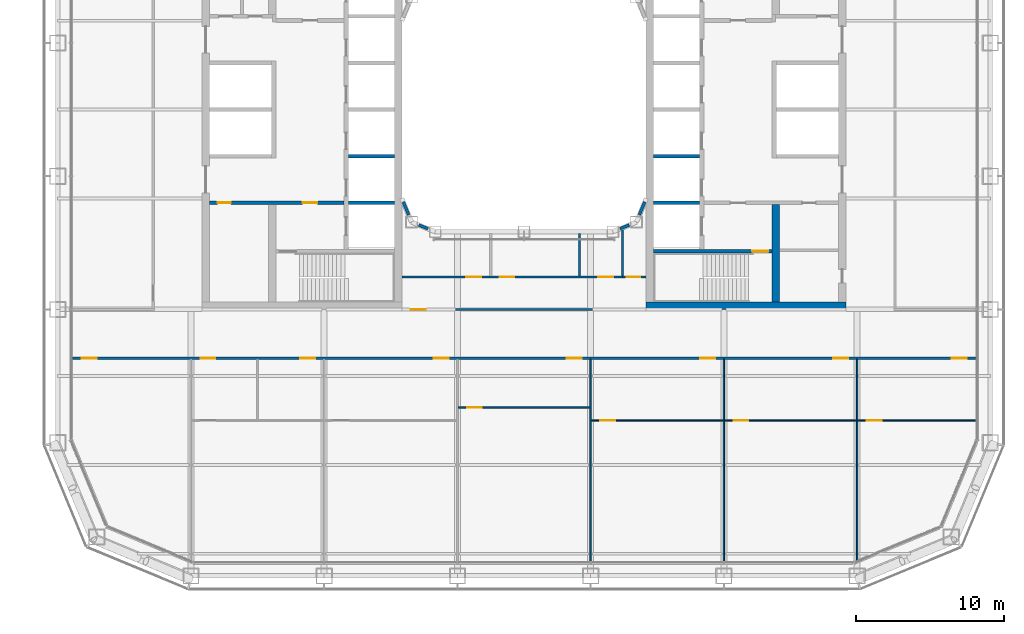
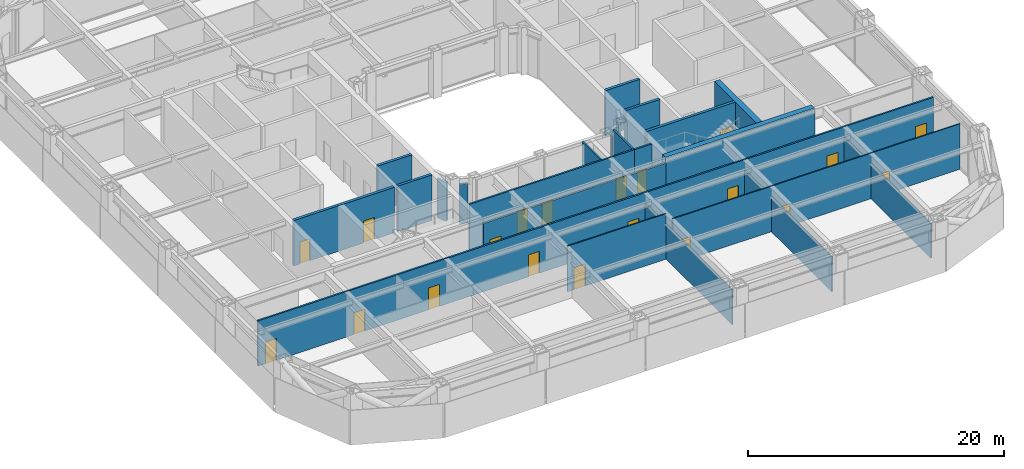
# One storey, part 13 of 29: 25 walls, 20 doors, 20 openings.
"""IFC4 building model written with IfcOpenShell, lengths in metres."""

from ifc_helpers import new_model, si_unit, direction, frame, frame_2d, origin, place, context, subcontext, project, spatial, rectangle, extrude, material, layer, layer_set, type_object, element, fill, save


model = new_model("IFC4")

# Units and contexts
model_context = context("Model", 3, precision=1e-05, world=origin(), true_north=direction((0.0, 1.0)))
body_context = subcontext(model_context, "Body", "Model", "MODEL_VIEW")
ifc_project = project(units=[si_unit("LENGTHUNIT", "METRE"), si_unit("AREAUNIT", "SQUARE_METRE"), si_unit("VOLUMEUNIT", "CUBIC_METRE"), si_unit("PLANEANGLEUNIT", "RADIAN"), si_unit("MASSUNIT", "GRAM", prefix="KILO")], contexts=[model_context])

# Site, building, storey
site_placement = place(None, origin())
site = spatial("IfcSite", under=ifc_project, at=site_placement, CompositionType="ELEMENT")
building_placement = place(site_placement, origin())
building = spatial("IfcBuilding", under=site, at=building_placement, Name="Siwar Civic Tower", CompositionType="ELEMENT")
storey_placement = place(building_placement, frame((0.0, 0.0, 49.199951171875)))
storey = spatial("IfcBuildingStorey", under=building, at=storey_placement, Name="L10", CompositionType="ELEMENT", Elevation=49.199951171875)

# Wall, opening, door
ifc_material_1 = material(Name="Gypsum board on steel studs", Category="steel")
ifc_layer_1 = layer(ifc_material_1, 0.14990234375)
ifc_layer_set_1 = layer_set([ifc_layer_1], Name="Gypsum board on steel studs")
wall_type_1 = type_object("IfcWallType", Name="COMPARTMENT PARTITION 150 EI 60", PredefinedType="PARTITIONING", material=ifc_layer_set_1)
wall_1_placement = place(storey_placement, frame((6.659912109375, -11.300048828125, 0.0), z_axis=(0.0, 0.0, 1.0), x_axis=(1.0, 0.0, 0.0)))
wall_1 = element("IfcWall", 1, at=wall_1_placement, inside=storey, type_object=wall_type_1, Name="L10/wall/P09", PredefinedType="PARTITIONING", context=body_context, shape_type="SweptSolid", body=[
    extrude(rectangle(XDim=1.590087890625, YDim=0.14990234375, at=frame_2d((0.794921875, 0.0))), origin(), (0.0, 0.0, 1.0), 4.35009765625),
])
opening_1_placement = place(wall_1_placement, frame((0.2900390625, 0.0, 0.0)))
opening_1 = element("IfcOpeningElement", 2, at=opening_1_placement, cuts=wall_1, Name="Opening D4", PredefinedType="OPENING", context=body_context, shape_type="SweptSolid", body=[
    extrude(rectangle(XDim=0.89990234375, YDim=2.10009765625, at=frame_2d((0.449951171875, 1.050048828125))), frame((0.0, 0.0849609375, 0.0), z_axis=(0.0, -1.0, 0.0), x_axis=(1.0, 0.0, 0.0)), (0.0, 0.0, 1.0), 0.169921875),
])
ifc_material_2 = material(Name="Timber, painted", Category="wood")
door_type_1 = type_object("IfcDoorType", Name="DOOR 900 X 2100 FD60", OperationType="SINGLE_SWING_LEFT", PredefinedType="DOOR", material=ifc_material_2)
door_1_placement = place(opening_1_placement, origin())
door_1 = element("IfcDoor", 3, at=door_1_placement, inside=storey, type_object=door_type_1, Name="L10-D38", OperationType="SINGLE_SWING_RIGHT", OverallHeight=2.10009765625, OverallWidth=0.89990234375, PredefinedType="DOOR", context=body_context, shape_type="SweptSolid", body=[
    extrude(rectangle(XDim=0.89990234375, YDim=2.10009765625, at=frame_2d((0.449951171875, 1.050048828125))), frame((0.0, 0.02490234375, 0.0), z_axis=(0.0, -1.0, 0.0), x_axis=(1.0, 0.0, 0.0)), (0.0, 0.0, 1.0), 0.050048828125),
])
fill(opening_1, door_1)

# Wall
wall_2_placement = place(storey_placement, frame((6.659912109375, -11.22509765625, 0.0), z_axis=(0.0, 0.0, 1.0), x_axis=(0.0, 1.0, 0.0)))
element("IfcWall", 4, at=wall_2_placement, inside=storey, type_object=wall_type_1, Name="L10/wall/P34", PredefinedType="PARTITIONING", context=body_context, shape_type="SweptSolid", body=[
    extrude(rectangle(XDim=3.089111328125, YDim=0.14990234375, at=frame_2d((1.54443359375, 0.0))), origin(), (0.0, 0.0, 1.0), 4.35009765625),
])

# Wall, openings, doors
ifc_material_3 = material(Name="Concrete C60/75", Category="concrete")
ifc_layer_2 = layer(ifc_material_3, 0.25)
ifc_layer_set_2 = layer_set([ifc_layer_2], Name="Concrete C60/75")
wall_type_2 = type_object("IfcWallType", Name="CORE-WALL-RC250", PredefinedType="SHEAR", material=ifc_layer_set_2)
wall_3_placement = place(storey_placement, frame((-12.14990234375, -6.300048828125, 0.0), z_axis=(0.0, 0.0, 1.0), x_axis=(-1.0, 0.0, 0.0)))
wall_3 = element("IfcWall", 5, at=wall_3_placement, inside=storey, type_object=wall_type_2, Name="Core wall W", PredefinedType="SHEAR", context=body_context, shape_type="SweptSolid", body=[
    extrude(rectangle(XDim=9.10009765625, YDim=0.25, at=frame_2d((4.550048828125, 0.0))), origin(), (0.0, 0.0, 1.0), 4.35009765625),
])
opening_2_placement = place(wall_3_placement, frame((1.800048828125, 0.0, 0.0)))
opening_2 = element("IfcOpeningElement", 6, at=opening_2_placement, cuts=wall_3, Name="Opening L10-CW02", PredefinedType="OPENING", context=body_context, shape_type="SweptSolid", body=[
    extrude(rectangle(XDim=1.0, YDim=2.10009765625, at=frame_2d((0.5, 1.050048828125))), frame((0.0, 0.135009765625, 0.0), z_axis=(0.0, -1.0, 0.0), x_axis=(1.0, 0.0, 0.0)), (0.0, 0.0, 1.0), 0.27001953125),
])
opening_3_placement = place(wall_3_placement, frame((7.64990234375, 0.0, 0.0)))
opening_3 = element("IfcOpeningElement", 7, at=opening_3_placement, cuts=wall_3, Name="Opening L10-CW15", PredefinedType="OPENING", context=body_context, shape_type="SweptSolid", body=[
    extrude(rectangle(XDim=0.89990234375, YDim=2.10009765625, at=frame_2d((0.449951171875, 1.050048828125))), frame((0.0, 0.135009765625, 0.0), z_axis=(0.0, -1.0, 0.0), x_axis=(1.0, 0.0, 0.0)), (0.0, 0.0, 1.0), 0.27001953125),
])
ifc_material_4 = material(Name="Steel door leaf", Category="steel")
door_type_2 = type_object("IfcDoorType", Name="CORE-DOOR-FD30S", OperationType="SINGLE_SWING_LEFT", PredefinedType="DOOR", material=ifc_material_4)
door_2_placement = place(opening_2_placement, origin())
door_2 = element("IfcDoor", 8, at=door_2_placement, inside=storey, type_object=door_type_2, Name="Service lobby door L10-CW02", OperationType="SINGLE_SWING_RIGHT", OverallHeight=2.10009765625, OverallWidth=1.0, PredefinedType="DOOR", context=body_context, shape_type="SweptSolid", body=[
    extrude(rectangle(XDim=1.0, YDim=2.10009765625, at=frame_2d((0.5, 1.050048828125))), frame((0.0, 0.02490234375, 0.0), z_axis=(0.0, -1.0, 0.0), x_axis=(1.0, 0.0, 0.0)), (0.0, 0.0, 1.0), 0.050048828125),
])
fill(opening_2, door_2)
ifc_material_5 = material(Name="Steel door leaf", Category="steel")
door_type_3 = type_object("IfcDoorType", Name="CORE-DOOR-ROOM", OperationType="SINGLE_SWING_LEFT", PredefinedType="DOOR", material=ifc_material_5)
door_3_placement = place(opening_3_placement, origin())
door_3 = element("IfcDoor", 9, at=door_3_placement, inside=storey, type_object=door_type_3, Name="Core room door L10-CW15", OperationType="SINGLE_SWING_LEFT", OverallHeight=2.10009765625, OverallWidth=0.89990234375, PredefinedType="DOOR", context=body_context, shape_type="SweptSolid", body=[
    extrude(rectangle(XDim=0.89990234375, YDim=2.10009765625, at=frame_2d((0.449951171875, 1.050048828125))), frame((0.0, 0.02490234375, 0.0), z_axis=(0.0, -1.0, 0.0), x_axis=(1.0, 0.0, 0.0)), (0.0, 0.0, 1.0), 0.050048828125),
])
fill(opening_3, door_3)

# Walls
for number, where, z_axis, x_axis, name in (
    (10, (-8.75, -3.14990234375, 0.0), (0.0, 0.0, 1.0), (-1.0, 0.0, 0.0), "Core wall W"),
    (11, (-8.75, -6.300048828125, 0.0), (0.0, 0.0, 1.0), (-1.0, 0.0, 0.0), "Core wall W"),
    (12, (8.75, -3.14990234375, 0.0), (0.0, 0.0, 1.0), (1.0, 0.0, 0.0), "Core wall E"),
    (13, (8.75, -6.300048828125, 0.0), (0.0, 0.0, 1.0), (1.0, 0.0, 0.0), "Core wall E"),
):
    element("IfcWall", number, at=place(storey_placement, frame(where, z_axis=z_axis, x_axis=x_axis)), inside=storey, type_object=wall_type_2, Name=name, PredefinedType="SHEAR", context=body_context, shape_type="SweptSolid", body=[
        extrude(rectangle(XDim=3.10009765625, YDim=0.25, at=frame_2d((1.550048828125, 0.0))), origin(), (0.0, 0.0, 1.0), 4.35009765625),
    ])

# Wall, opening, door
wall_4_placement = place(storey_placement, frame((8.75, -9.574951171875, 0.0), z_axis=(0.0, 0.0, 1.0), x_axis=(1.0, 0.0, 0.0)))
wall_4 = element("IfcWall", 14, at=wall_4_placement, inside=storey, type_object=wall_type_2, Name="Core wall E", PredefinedType="SHEAR", context=body_context, shape_type="SweptSolid", body=[
    extrude(rectangle(XDim=8.0, YDim=0.25, at=frame_2d((4.0, 0.0))), origin(), (0.0, 0.0, 1.0), 4.35009765625),
])
opening_4_placement = place(wall_4_placement, frame((6.64990234375, 0.0, 0.0)))
opening_4 = element("IfcOpeningElement", 15, at=opening_4_placement, cuts=wall_4, Name="Opening L10-CE04", PredefinedType="OPENING", context=body_context, shape_type="SweptSolid", body=[
    extrude(rectangle(XDim=1.10009765625, YDim=2.10009765625, at=frame_2d((0.550048828125, 1.050048828125))), frame((0.0, 0.135009765625, 0.0), z_axis=(0.0, -1.0, 0.0), x_axis=(1.0, 0.0, 0.0)), (0.0, 0.0, 1.0), 0.27001953125),
])
ifc_material_6 = material(Name="Steel door leaf", Category="steel")
door_type_4 = type_object("IfcDoorType", Name="CORE-DOOR-FD60S", OperationType="SINGLE_SWING_LEFT", PredefinedType="DOOR", material=ifc_material_6)
door_4_placement = place(opening_4_placement, origin())
door_4 = element("IfcDoor", 16, at=door_4_placement, inside=storey, type_object=door_type_4, Name="Stair door L10-CE04", OperationType="SINGLE_SWING_RIGHT", OverallHeight=2.10009765625, OverallWidth=1.10009765625, PredefinedType="DOOR", context=body_context, shape_type="SweptSolid", body=[
    extrude(rectangle(XDim=1.10009765625, YDim=2.10009765625, at=frame_2d((0.550048828125, 1.050048828125))), frame((0.0, 0.02490234375, 0.0), z_axis=(0.0, -1.0, 0.0), x_axis=(1.0, 0.0, 0.0)), (0.0, 0.0, 1.0), 0.050048828125),
])
fill(opening_4, door_4)

# Walls
ifc_material_7 = material(Name="Concrete C60/75", Category="concrete")
ifc_layer_3 = layer(ifc_material_7, 0.5)
ifc_layer_set_3 = layer_set([ifc_layer_3], Name="Concrete C60/75")
wall_type_3 = type_object("IfcWallType", Name="CORE-WALL-RC500", PredefinedType="SHEAR", material=ifc_layer_set_3)
wall_5_placement = place(storey_placement, frame((17.0, -13.0, 0.0), z_axis=(0.0, 0.0, 1.0), x_axis=(0.0, 1.0, 0.0)))
element("IfcWall", 17, at=wall_5_placement, inside=storey, type_object=wall_type_3, Name="Core wall E", PredefinedType="SHEAR", context=body_context, shape_type="SweptSolid", body=[
    extrude(rectangle(XDim=6.574951171875, YDim=0.5, at=frame_2d((3.28759765625, 0.0))), origin(), (0.0, 0.0, 1.0), 4.35009765625),
])
wall_6_placement = place(storey_placement, frame((8.25, -13.25, 0.0), z_axis=(0.0, 0.0, 1.0), x_axis=(1.0, 0.0, 0.0)))
element("IfcWall", 18, at=wall_6_placement, inside=storey, type_object=wall_type_3, Name="Core wall E", PredefinedType="SHEAR", context=body_context, shape_type="SweptSolid", body=[
    extrude(rectangle(XDim=13.5, YDim=0.5, at=frame_2d((6.75, 0.0))), origin(), (0.0, 0.0, 1.0), 4.35009765625),
])

# Wall, openings, doors
ifc_material_8 = material(Name="Gypsum board on steel studs", Category="steel")
ifc_layer_4 = layer(ifc_material_8, 0.14990234375)
ifc_layer_set_4 = layer_set([ifc_layer_4], Name="Gypsum board on steel studs")
wall_type_4 = type_object("IfcWallType", Name="CORRIDOR PARTITION 150 EI 30", PredefinedType="PARTITIONING", material=ifc_layer_set_4)
wall_7_placement = place(storey_placement, frame((-30.510009765625, -16.800048828125, 0.0), z_axis=(0.0, 0.0, 1.0), x_axis=(1.0, 0.0, 0.0)))
wall_7 = element("IfcWall", 19, at=wall_7_placement, inside=storey, type_object=wall_type_4, Name="L10/wall/P04", PredefinedType="PARTITIONING", context=body_context, shape_type="SweptSolid", body=[
    extrude(rectangle(XDim=61.02001953125, YDim=0.14990234375, at=frame_2d((30.510009765625, 0.0))), origin(), (0.0, 0.0, 1.0), 4.35009765625),
])
opening_5_placement = place(wall_7_placement, frame((8.659912109375, 0.0, 0.0)))
opening_5 = element("IfcOpeningElement", 20, at=opening_5_placement, cuts=wall_7, Name="Opening D1", PredefinedType="OPENING", context=body_context, shape_type="SweptSolid", body=[
    extrude(rectangle(XDim=1.0, YDim=2.10009765625, at=frame_2d((0.5, 1.050048828125))), frame((0.0, 0.0849609375, 0.0), z_axis=(0.0, -1.0, 0.0), x_axis=(1.0, 0.0, 0.0)), (0.0, 0.0, 1.0), 0.169921875),
])
opening_6_placement = place(wall_7_placement, frame((15.409912109375, 0.0, 0.0)))
opening_6 = element("IfcOpeningElement", 21, at=opening_6_placement, cuts=wall_7, Name="Opening D1", PredefinedType="OPENING", context=body_context, shape_type="SweptSolid", body=[
    extrude(rectangle(XDim=1.0, YDim=2.10009765625, at=frame_2d((0.5, 1.050048828125))), frame((0.0, 0.0849609375, 0.0), z_axis=(0.0, -1.0, 0.0), x_axis=(1.0, 0.0, 0.0)), (0.0, 0.0, 1.0), 0.169921875),
])
opening_7_placement = place(wall_7_placement, frame((24.409912109375, 0.0, 0.0)))
opening_7 = element("IfcOpeningElement", 22, at=opening_7_placement, cuts=wall_7, Name="Opening D1", PredefinedType="OPENING", context=body_context, shape_type="SweptSolid", body=[
    extrude(rectangle(XDim=1.0, YDim=2.10009765625, at=frame_2d((0.5, 1.050048828125))), frame((0.0, 0.0849609375, 0.0), z_axis=(0.0, -1.0, 0.0), x_axis=(1.0, 0.0, 0.0)), (0.0, 0.0, 1.0), 0.169921875),
])
opening_8_placement = place(wall_7_placement, frame((33.409912109375, 0.0, 0.0)))
opening_8 = element("IfcOpeningElement", 23, at=opening_8_placement, cuts=wall_7, Name="Opening D1", PredefinedType="OPENING", context=body_context, shape_type="SweptSolid", body=[
    extrude(rectangle(XDim=1.0, YDim=2.10009765625, at=frame_2d((0.5, 1.050048828125))), frame((0.0, 0.0849609375, 0.0), z_axis=(0.0, -1.0, 0.0), x_axis=(1.0, 0.0, 0.0)), (0.0, 0.0, 1.0), 0.169921875),
])
opening_9_placement = place(wall_7_placement, frame((42.409912109375, 0.0, 0.0)))
opening_9 = element("IfcOpeningElement", 24, at=opening_9_placement, cuts=wall_7, Name="Opening D1", PredefinedType="OPENING", context=body_context, shape_type="SweptSolid", body=[
    extrude(rectangle(XDim=1.0, YDim=2.10009765625, at=frame_2d((0.5, 1.050048828125))), frame((0.0, 0.0849609375, 0.0), z_axis=(0.0, -1.0, 0.0), x_axis=(1.0, 0.0, 0.0)), (0.0, 0.0, 1.0), 0.169921875),
])
opening_10_placement = place(wall_7_placement, frame((51.409912109375, 0.0, 0.0)))
opening_10 = element("IfcOpeningElement", 25, at=opening_10_placement, cuts=wall_7, Name="Opening D1", PredefinedType="OPENING", context=body_context, shape_type="SweptSolid", body=[
    extrude(rectangle(XDim=1.0, YDim=2.10009765625, at=frame_2d((0.5, 1.050048828125))), frame((0.0, 0.0849609375, 0.0), z_axis=(0.0, -1.0, 0.0), x_axis=(1.0, 0.0, 0.0)), (0.0, 0.0, 1.0), 0.169921875),
])
opening_11_placement = place(wall_7_placement, frame((0.64990234375, 0.0, 0.0)))
opening_11 = element("IfcOpeningElement", 26, at=opening_11_placement, cuts=wall_7, Name="Opening D1", PredefinedType="OPENING", context=body_context, shape_type="SweptSolid", body=[
    extrude(rectangle(XDim=1.0, YDim=2.10009765625, at=frame_2d((0.5, 1.050048828125))), frame((0.0, 0.0849609375, 0.0), z_axis=(0.0, -1.0, 0.0), x_axis=(1.0, 0.0, 0.0)), (0.0, 0.0, 1.0), 0.169921875),
])
opening_12_placement = place(wall_7_placement, frame((59.409912109375, 0.0, 0.0)))
opening_12 = element("IfcOpeningElement", 27, at=opening_12_placement, cuts=wall_7, Name="Opening D1", PredefinedType="OPENING", context=body_context, shape_type="SweptSolid", body=[
    extrude(rectangle(XDim=1.0, YDim=2.10009765625, at=frame_2d((0.5, 1.050048828125))), frame((0.0, 0.0849609375, 0.0), z_axis=(0.0, -1.0, 0.0), x_axis=(1.0, 0.0, 0.0)), (0.0, 0.0, 1.0), 0.169921875),
])
ifc_material_9 = material(Name="Timber, painted", Category="wood")
door_type_5 = type_object("IfcDoorType", Name="DOOR 1000 X 2100 FD30", OperationType="SINGLE_SWING_LEFT", PredefinedType="DOOR", material=ifc_material_9)
door_5_placement = place(opening_5_placement, origin())
door_5 = element("IfcDoor", 28, at=door_5_placement, inside=storey, type_object=door_type_5, Name="L10-D13", OperationType="SINGLE_SWING_LEFT", OverallHeight=2.10009765625, OverallWidth=1.0, PredefinedType="DOOR", context=body_context, shape_type="SweptSolid", body=[
    extrude(rectangle(XDim=1.0, YDim=2.10009765625, at=frame_2d((0.5, 1.050048828125))), frame((0.0, 0.02490234375, 0.0), z_axis=(0.0, -1.0, 0.0), x_axis=(1.0, 0.0, 0.0)), (0.0, 0.0, 1.0), 0.050048828125),
])
fill(opening_5, door_5)
door_6_placement = place(opening_6_placement, origin())
door_6 = element("IfcDoor", 29, at=door_6_placement, inside=storey, type_object=door_type_5, Name="L10-D14", OperationType="SINGLE_SWING_RIGHT", OverallHeight=2.10009765625, OverallWidth=1.0, PredefinedType="DOOR", context=body_context, shape_type="SweptSolid", body=[
    extrude(rectangle(XDim=1.0, YDim=2.10009765625, at=frame_2d((0.5, 1.050048828125))), frame((0.0, 0.02490234375, 0.0), z_axis=(0.0, -1.0, 0.0), x_axis=(1.0, 0.0, 0.0)), (0.0, 0.0, 1.0), 0.050048828125),
])
fill(opening_6, door_6)
door_7_placement = place(opening_7_placement, origin())
door_7 = element("IfcDoor", 30, at=door_7_placement, inside=storey, type_object=door_type_5, Name="L10-D16", OperationType="SINGLE_SWING_RIGHT", OverallHeight=2.10009765625, OverallWidth=1.0, PredefinedType="DOOR", context=body_context, shape_type="SweptSolid", body=[
    extrude(rectangle(XDim=1.0, YDim=2.10009765625, at=frame_2d((0.5, 1.050048828125))), frame((0.0, 0.02490234375, 0.0), z_axis=(0.0, -1.0, 0.0), x_axis=(1.0, 0.0, 0.0)), (0.0, 0.0, 1.0), 0.050048828125),
])
fill(opening_7, door_7)
door_8_placement = place(opening_8_placement, origin())
door_8 = element("IfcDoor", 31, at=door_8_placement, inside=storey, type_object=door_type_5, Name="L10-D18", OperationType="SINGLE_SWING_RIGHT", OverallHeight=2.10009765625, OverallWidth=1.0, PredefinedType="DOOR", context=body_context, shape_type="SweptSolid", body=[
    extrude(rectangle(XDim=1.0, YDim=2.10009765625, at=frame_2d((0.5, 1.050048828125))), frame((0.0, 0.02490234375, 0.0), z_axis=(0.0, -1.0, 0.0), x_axis=(1.0, 0.0, 0.0)), (0.0, 0.0, 1.0), 0.050048828125),
])
fill(opening_8, door_8)
door_9_placement = place(opening_9_placement, origin())
door_9 = element("IfcDoor", 32, at=door_9_placement, inside=storey, type_object=door_type_5, Name="L10-D20", OperationType="SINGLE_SWING_RIGHT", OverallHeight=2.10009765625, OverallWidth=1.0, PredefinedType="DOOR", context=body_context, shape_type="SweptSolid", body=[
    extrude(rectangle(XDim=1.0, YDim=2.10009765625, at=frame_2d((0.5, 1.050048828125))), frame((0.0, 0.02490234375, 0.0), z_axis=(0.0, -1.0, 0.0), x_axis=(1.0, 0.0, 0.0)), (0.0, 0.0, 1.0), 0.050048828125),
])
fill(opening_9, door_9)
door_10_placement = place(opening_10_placement, origin())
door_10 = element("IfcDoor", 33, at=door_10_placement, inside=storey, type_object=door_type_5, Name="L10-D22", OperationType="SINGLE_SWING_RIGHT", OverallHeight=2.10009765625, OverallWidth=1.0, PredefinedType="DOOR", context=body_context, shape_type="SweptSolid", body=[
    extrude(rectangle(XDim=1.0, YDim=2.10009765625, at=frame_2d((0.5, 1.050048828125))), frame((0.0, 0.02490234375, 0.0), z_axis=(0.0, -1.0, 0.0), x_axis=(1.0, 0.0, 0.0)), (0.0, 0.0, 1.0), 0.050048828125),
])
fill(opening_10, door_10)
door_11_placement = place(opening_11_placement, origin())
door_11 = element("IfcDoor", 34, at=door_11_placement, inside=storey, type_object=door_type_5, Name="L10-D27", OperationType="SINGLE_SWING_LEFT", OverallHeight=2.10009765625, OverallWidth=1.0, PredefinedType="DOOR", context=body_context, shape_type="SweptSolid", body=[
    extrude(rectangle(XDim=1.0, YDim=2.10009765625, at=frame_2d((0.5, 1.050048828125))), frame((0.0, 0.02490234375, 0.0), z_axis=(0.0, -1.0, 0.0), x_axis=(1.0, 0.0, 0.0)), (0.0, 0.0, 1.0), 0.050048828125),
])
fill(opening_11, door_11)
door_12_placement = place(opening_12_placement, origin())
door_12 = element("IfcDoor", 35, at=door_12_placement, inside=storey, type_object=door_type_5, Name="L10-D28", OperationType="SINGLE_SWING_RIGHT", OverallHeight=2.10009765625, OverallWidth=1.0, PredefinedType="DOOR", context=body_context, shape_type="SweptSolid", body=[
    extrude(rectangle(XDim=1.0, YDim=2.10009765625, at=frame_2d((0.5, 1.050048828125))), frame((0.0, 0.02490234375, 0.0), z_axis=(0.0, -1.0, 0.0), x_axis=(1.0, 0.0, 0.0)), (0.0, 0.0, 1.0), 0.050048828125),
])
fill(opening_12, door_12)

# Wall, opening, door
wall_8_placement = place(storey_placement, frame((-8.25, -13.5, 0.0), z_axis=(0.0, 0.0, 1.0), x_axis=(1.0, 0.0, 0.0)))
wall_8 = element("IfcWall", 36, at=wall_8_placement, inside=storey, type_object=wall_type_4, Name="L10/wall/P06", PredefinedType="PARTITIONING", context=body_context, shape_type="SweptSolid", body=[
    extrude(rectangle(XDim=16.5, YDim=0.14990234375, at=frame_2d((8.25, 0.0))), origin(), (0.0, 0.0, 1.0), 3.85009765625),
])
opening_13_placement = place(wall_8_placement, frame((0.60009765625, 0.0, 0.0)))
opening_13 = element("IfcOpeningElement", 37, at=opening_13_placement, cuts=wall_8, Name="Opening D1", PredefinedType="OPENING", context=body_context, shape_type="SweptSolid", body=[
    extrude(rectangle(XDim=1.0, YDim=2.10009765625, at=frame_2d((0.5, 1.050048828125))), frame((0.0, 0.0849609375, 0.0), z_axis=(0.0, -1.0, 0.0), x_axis=(1.0, 0.0, 0.0)), (0.0, 0.0, 1.0), 0.169921875),
])
door_13_placement = place(opening_13_placement, origin())
door_13 = element("IfcDoor", 38, at=door_13_placement, inside=storey, type_object=door_type_5, Name="L10-D34", OperationType="SINGLE_SWING_RIGHT", OverallHeight=2.10009765625, OverallWidth=1.0, PredefinedType="DOOR", context=body_context, shape_type="SweptSolid", body=[
    extrude(rectangle(XDim=1.0, YDim=2.10009765625, at=frame_2d((0.5, 1.050048828125))), frame((0.0, 0.02490234375, 0.0), z_axis=(0.0, -1.0, 0.0), x_axis=(1.0, 0.0, 0.0)), (0.0, 0.0, 1.0), 0.050048828125),
])
fill(opening_13, door_13)

# Wall, openings, doors
wall_9_placement = place(storey_placement, frame((-8.25, -11.300048828125, 0.0), z_axis=(0.0, 0.0, 1.0), x_axis=(1.0, 0.0, 0.0)))
wall_9 = element("IfcWall", 39, at=wall_9_placement, inside=storey, type_object=wall_type_4, Name="L10/wall/P08", PredefinedType="PARTITIONING", context=body_context, shape_type="SweptSolid", body=[
    extrude(rectangle(XDim=14.909912109375, YDim=0.14990234375, at=frame_2d((7.455078125, 0.0))), origin(), (0.0, 0.0, 1.0), 4.35009765625),
])
opening_14_placement = place(wall_9_placement, frame((4.35009765625, 0.0, 0.0)))
opening_14 = element("IfcOpeningElement", 40, at=opening_14_placement, cuts=wall_9, Name="Opening D3", PredefinedType="OPENING", context=body_context, shape_type="SweptSolid", body=[
    extrude(rectangle(XDim=1.0, YDim=2.10009765625, at=frame_2d((0.5, 1.050048828125))), frame((0.0, 0.0849609375, 0.0), z_axis=(0.0, -1.0, 0.0), x_axis=(1.0, 0.0, 0.0)), (0.0, 0.0, 1.0), 0.169921875),
])
opening_15_placement = place(wall_9_placement, frame((6.60009765625, 0.0, 0.0)))
opening_15 = element("IfcOpeningElement", 41, at=opening_15_placement, cuts=wall_9, Name="Opening D3", PredefinedType="OPENING", context=body_context, shape_type="SweptSolid", body=[
    extrude(rectangle(XDim=1.0, YDim=2.10009765625, at=frame_2d((0.5, 1.050048828125))), frame((0.0, 0.0849609375, 0.0), z_axis=(0.0, -1.0, 0.0), x_axis=(1.0, 0.0, 0.0)), (0.0, 0.0, 1.0), 0.169921875),
])
opening_16_placement = place(wall_9_placement, frame((13.260009765625, 0.0, 0.0)))
opening_16 = element("IfcOpeningElement", 42, at=opening_16_placement, cuts=wall_9, Name="Opening D3", PredefinedType="OPENING", context=body_context, shape_type="SweptSolid", body=[
    extrude(rectangle(XDim=1.0, YDim=2.10009765625, at=frame_2d((0.5, 1.050048828125))), frame((0.0, 0.0849609375, 0.0), z_axis=(0.0, -1.0, 0.0), x_axis=(1.0, 0.0, 0.0)), (0.0, 0.0, 1.0), 0.169921875),
])
ifc_material_10 = material(Name="Timber, painted", Category="wood")
door_type_6 = type_object("IfcDoorType", Name="DOOR 1000 X 2100 WC", OperationType="SINGLE_SWING_LEFT", PredefinedType="DOOR", material=ifc_material_10)
door_14_placement = place(opening_14_placement, origin())
door_14 = element("IfcDoor", 43, at=door_14_placement, inside=storey, type_object=door_type_6, Name="L10-D35", OperationType="SINGLE_SWING_LEFT", OverallHeight=2.10009765625, OverallWidth=1.0, PredefinedType="DOOR", context=body_context, shape_type="SweptSolid", body=[
    extrude(rectangle(XDim=1.0, YDim=2.10009765625, at=frame_2d((0.5, 1.050048828125))), frame((0.0, 0.02490234375, 0.0), z_axis=(0.0, -1.0, 0.0), x_axis=(1.0, 0.0, 0.0)), (0.0, 0.0, 1.0), 0.050048828125),
])
fill(opening_14, door_14)
door_15_placement = place(opening_15_placement, origin())
door_15 = element("IfcDoor", 44, at=door_15_placement, inside=storey, type_object=door_type_6, Name="L10-D36", OperationType="SINGLE_SWING_RIGHT", OverallHeight=2.10009765625, OverallWidth=1.0, PredefinedType="DOOR", context=body_context, shape_type="SweptSolid", body=[
    extrude(rectangle(XDim=1.0, YDim=2.10009765625, at=frame_2d((0.5, 1.050048828125))), frame((0.0, 0.02490234375, 0.0), z_axis=(0.0, -1.0, 0.0), x_axis=(1.0, 0.0, 0.0)), (0.0, 0.0, 1.0), 0.050048828125),
])
fill(opening_15, door_15)
door_16_placement = place(opening_16_placement, origin())
door_16 = element("IfcDoor", 45, at=door_16_placement, inside=storey, type_object=door_type_6, Name="L10-D37", OperationType="SINGLE_SWING_LEFT", OverallHeight=2.10009765625, OverallWidth=1.0, PredefinedType="DOOR", context=body_context, shape_type="SweptSolid", body=[
    extrude(rectangle(XDim=1.0, YDim=2.10009765625, at=frame_2d((0.5, 1.050048828125))), frame((0.0, 0.02490234375, 0.0), z_axis=(0.0, -1.0, 0.0), x_axis=(1.0, 0.0, 0.0)), (0.0, 0.0, 1.0), 0.050048828125),
])
fill(opening_16, door_16)

# Walls
wall_10_placement = place(storey_placement, frame((3.75, -11.22509765625, 0.0), z_axis=(0.0, 0.0, 1.0), x_axis=(0.0, 1.0, 0.0)))
element("IfcWall", 46, at=wall_10_placement, inside=storey, type_object=wall_type_4, Name="L10/wall/P30", PredefinedType="PARTITIONING", context=body_context, shape_type="SweptSolid", body=[
    extrude(rectangle(XDim=2.85498046875, YDim=0.14990234375, at=frame_2d((1.427490234375, 0.0))), origin(), (0.0, 0.0, 1.0), 4.35009765625),
])
ifc_material_11 = material(Name="Aluminium clad insulated panel", Category="aluminium")
ifc_layer_5 = layer(ifc_material_11, 0.199951171875)
ifc_layer_set_5 = layer_set([ifc_layer_5], Name="Aluminium clad insulated panel")
wall_type_5 = type_object("IfcWallType", Name="ENV-WALL-WELL", PredefinedType="STANDARD", material=ifc_layer_set_5)
wall_11_placement = place(storey_placement, frame((6.48291015625, -8.050048828125, 0.0), z_axis=(0.0, 0.0, 1.0), x_axis=(0.923854141361, 0.382744726273, 0.0)))
element("IfcWall", 47, at=wall_11_placement, inside=storey, type_object=wall_type_5, Name="Light well corner wall SE1", PredefinedType="STANDARD", context=body_context, shape_type="SweptSolid", body=[
    extrude(rectangle(XDim=0.6767578125, YDim=0.199951171875, at=frame_2d((0.33837890625, 0.0))), origin(), (0.0, 0.0, 1.0), 3.72998046875),
])
for number, where, z_axis, x_axis, name in (
    (48, (7.791015625, -7.108154296875, 0.0), (0.0, 0.0, 1.0), (0.382624318388, 0.923904016107, 0.0), "Light well corner wall SE2"),
    (49, (-8.154296875, -6.23095703125, 0.0), (0.0, 0.0, 1.0), (0.382624318388, -0.923904016107, 0.0), "Light well corner wall SW1"),
):
    element("IfcWall", number, at=place(storey_placement, frame(where, z_axis=z_axis, x_axis=x_axis)), inside=storey, type_object=wall_type_5, Name=name, PredefinedType="STANDARD", context=body_context, shape_type="SweptSolid", body=[
        extrude(rectangle(XDim=0.949462890625, YDim=0.199951171875, at=frame_2d((0.474609375, 0.0))), origin(), (0.0, 0.0, 1.0), 3.72998046875),
    ])
wall_12_placement = place(storey_placement, frame((-7.108154296875, -7.791015625, 0.0), z_axis=(0.0, 0.0, 1.0), x_axis=(0.923854141361, -0.382744726273, 0.0)))
element("IfcWall", 50, at=wall_12_placement, inside=storey, type_object=wall_type_5, Name="Light well corner wall SW2", PredefinedType="STANDARD", context=body_context, shape_type="SweptSolid", body=[
    extrude(rectangle(XDim=0.6767578125, YDim=0.199951171875, at=frame_2d((0.33837890625, 0.0))), origin(), (0.0, 0.0, 1.0), 3.72998046875),
])

# Wall, openings, doors
ifc_material_12 = material(Name="Gypsum board on steel studs", Category="steel")
ifc_layer_6 = layer(ifc_material_12, 0.10009765625)
ifc_layer_set_6 = layer_set([ifc_layer_6], Name="Gypsum board on steel studs")
wall_type_6 = type_object("IfcWallType", Name="PARTITION 100 GYPSUM", PredefinedType="PARTITIONING", material=ifc_layer_set_6)
wall_13_placement = place(storey_placement, frame((4.550048828125, -21.0, 0.0), z_axis=(0.0, 0.0, 1.0), x_axis=(1.0, 0.0, 0.0)))
wall_13 = element("IfcWall", 51, at=wall_13_placement, inside=storey, type_object=wall_type_6, Name="L10/wall/P02", PredefinedType="PARTITIONING", context=body_context, shape_type="SweptSolid", body=[
    extrude(rectangle(XDim=25.9599609375, YDim=0.10009765625, at=frame_2d((12.97998046875, 0.0))), origin(), (0.0, 0.0, 1.0), 4.35009765625),
])
opening_17_placement = place(wall_13_placement, frame((0.60009765625, 0.0, 0.0)))
opening_17 = element("IfcOpeningElement", 52, at=opening_17_placement, cuts=wall_13, Name="Opening D2", PredefinedType="OPENING", context=body_context, shape_type="SweptSolid", body=[
    extrude(rectangle(XDim=1.0, YDim=2.10009765625, at=frame_2d((0.5, 1.050048828125))), frame((0.0, 0.06005859375, 0.0), z_axis=(0.0, -1.0, 0.0), x_axis=(1.0, 0.0, 0.0)), (0.0, 0.0, 1.0), 0.1201171875),
])
opening_18_placement = place(wall_13_placement, frame((9.60009765625, 0.0, 0.0)))
opening_18 = element("IfcOpeningElement", 53, at=opening_18_placement, cuts=wall_13, Name="Opening D2", PredefinedType="OPENING", context=body_context, shape_type="SweptSolid", body=[
    extrude(rectangle(XDim=1.0, YDim=2.10009765625, at=frame_2d((0.5, 1.050048828125))), frame((0.0, 0.06005859375, 0.0), z_axis=(0.0, -1.0, 0.0), x_axis=(1.0, 0.0, 0.0)), (0.0, 0.0, 1.0), 0.1201171875),
])
opening_19_placement = place(wall_13_placement, frame((18.60009765625, 0.0, 0.0)))
opening_19 = element("IfcOpeningElement", 54, at=opening_19_placement, cuts=wall_13, Name="Opening D2", PredefinedType="OPENING", context=body_context, shape_type="SweptSolid", body=[
    extrude(rectangle(XDim=1.0, YDim=2.10009765625, at=frame_2d((0.5, 1.050048828125))), frame((0.0, 0.06005859375, 0.0), z_axis=(0.0, -1.0, 0.0), x_axis=(1.0, 0.0, 0.0)), (0.0, 0.0, 1.0), 0.1201171875),
])
ifc_material_13 = material(Name="Timber, painted", Category="wood")
door_type_7 = type_object("IfcDoorType", Name="DOOR 1000 X 2100", OperationType="SINGLE_SWING_LEFT", PredefinedType="DOOR", material=ifc_material_13)
door_17_placement = place(opening_17_placement, origin())
door_17 = element("IfcDoor", 55, at=door_17_placement, inside=storey, type_object=door_type_7, Name="L10-D21", OperationType="SINGLE_SWING_LEFT", OverallHeight=2.10009765625, OverallWidth=1.0, PredefinedType="DOOR", context=body_context, shape_type="SweptSolid", body=[
    extrude(rectangle(XDim=1.0, YDim=2.10009765625, at=frame_2d((0.5, 1.050048828125))), frame((0.0, 0.02490234375, 0.0), z_axis=(0.0, -1.0, 0.0), x_axis=(1.0, 0.0, 0.0)), (0.0, 0.0, 1.0), 0.050048828125),
])
fill(opening_17, door_17)
door_18_placement = place(opening_18_placement, origin())
door_18 = element("IfcDoor", 56, at=door_18_placement, inside=storey, type_object=door_type_7, Name="L10-D23", OperationType="SINGLE_SWING_LEFT", OverallHeight=2.10009765625, OverallWidth=1.0, PredefinedType="DOOR", context=body_context, shape_type="SweptSolid", body=[
    extrude(rectangle(XDim=1.0, YDim=2.10009765625, at=frame_2d((0.5, 1.050048828125))), frame((0.0, 0.02490234375, 0.0), z_axis=(0.0, -1.0, 0.0), x_axis=(1.0, 0.0, 0.0)), (0.0, 0.0, 1.0), 0.050048828125),
])
fill(opening_18, door_18)
door_19_placement = place(opening_19_placement, origin())
door_19 = element("IfcDoor", 57, at=door_19_placement, inside=storey, type_object=door_type_7, Name="L10-D29", OperationType="SINGLE_SWING_LEFT", OverallHeight=2.10009765625, OverallWidth=1.0, PredefinedType="DOOR", context=body_context, shape_type="SweptSolid", body=[
    extrude(rectangle(XDim=1.0, YDim=2.10009765625, at=frame_2d((0.5, 1.050048828125))), frame((0.0, 0.02490234375, 0.0), z_axis=(0.0, -1.0, 0.0), x_axis=(1.0, 0.0, 0.0)), (0.0, 0.0, 1.0), 0.050048828125),
])
fill(opening_19, door_19)

# Wall, opening, door
wall_14_placement = place(storey_placement, frame((-4.449951171875, -20.1201171875, 0.0), z_axis=(0.0, 0.0, 1.0), x_axis=(1.0, 0.0, 0.0)))
wall_14 = element("IfcWall", 58, at=wall_14_placement, inside=storey, type_object=wall_type_6, Name="L10/wall/P03", PredefinedType="PARTITIONING", context=body_context, shape_type="SweptSolid", body=[
    extrude(rectangle(XDim=8.89990234375, YDim=0.10009765625, at=frame_2d((4.449951171875, 0.0))), origin(), (0.0, 0.0, 1.0), 4.35009765625),
])
opening_20_placement = place(wall_14_placement, frame((0.60009765625, 0.0, 0.0)))
opening_20 = element("IfcOpeningElement", 59, at=opening_20_placement, cuts=wall_14, Name="Opening D2", PredefinedType="OPENING", context=body_context, shape_type="SweptSolid", body=[
    extrude(rectangle(XDim=1.0, YDim=2.10009765625, at=frame_2d((0.5, 1.050048828125))), frame((0.0, 0.06005859375, 0.0), z_axis=(0.0, -1.0, 0.0), x_axis=(1.0, 0.0, 0.0)), (0.0, 0.0, 1.0), 0.1201171875),
])
door_20_placement = place(opening_20_placement, origin())
door_20 = element("IfcDoor", 60, at=door_20_placement, inside=storey, type_object=door_type_7, Name="L10-D19", OperationType="SINGLE_SWING_LEFT", OverallHeight=2.10009765625, OverallWidth=1.0, PredefinedType="DOOR", context=body_context, shape_type="SweptSolid", body=[
    extrude(rectangle(XDim=1.0, YDim=2.10009765625, at=frame_2d((0.5, 1.050048828125))), frame((0.0, 0.02490234375, 0.0), z_axis=(0.0, -1.0, 0.0), x_axis=(1.0, 0.0, 0.0)), (0.0, 0.0, 1.0), 0.050048828125),
])
fill(opening_20, door_20)

# Walls
wall_15_placement = place(storey_placement, frame((4.5, -30.510009765625, 0.0), z_axis=(0.0, 0.0, 1.0), x_axis=(0.0, 1.0, 0.0)))
element("IfcWall", 61, at=wall_15_placement, inside=storey, type_object=wall_type_6, Name="L10/wall/P31", PredefinedType="PARTITIONING", context=body_context, shape_type="SweptSolid", body=[
    extrude(rectangle(XDim=13.635009765625, YDim=0.10009765625, at=frame_2d((6.8173828125, 0.0))), origin(), (0.0, 0.0, 1.0), 3.35009765625),
])
wall_16_placement = place(storey_placement, frame((13.5, -30.510009765625, 0.0), z_axis=(0.0, 0.0, 1.0), x_axis=(0.0, 1.0, 0.0)))
element("IfcWall", 62, at=wall_16_placement, inside=storey, type_object=wall_type_6, Name="L10/wall/P35", PredefinedType="PARTITIONING", context=body_context, shape_type="SweptSolid", body=[
    extrude(rectangle(XDim=9.4599609375, YDim=0.10009765625, at=frame_2d((4.72998046875, 0.0))), origin(), (0.0, 0.0, 1.0), 3.35009765625),
])
wall_17_placement = place(storey_placement, frame((13.5, -20.949951171875, 0.0), z_axis=(0.0, 0.0, 1.0), x_axis=(0.0, 1.0, 0.0)))
element("IfcWall", 63, at=wall_17_placement, inside=storey, type_object=wall_type_6, Name="L10/wall/P36", PredefinedType="PARTITIONING", context=body_context, shape_type="SweptSolid", body=[
    extrude(rectangle(XDim=4.074951171875, YDim=0.10009765625, at=frame_2d((2.03759765625, 0.0))), origin(), (0.0, 0.0, 1.0), 3.35009765625),
])
wall_18_placement = place(storey_placement, frame((22.5, -30.427978515625, 0.0), z_axis=(0.0, 0.0, 1.0), x_axis=(0.0, 1.0, 0.0)))
element("IfcWall", 64, at=wall_18_placement, inside=storey, type_object=wall_type_6, Name="L10/wall/P39", PredefinedType="PARTITIONING", context=body_context, shape_type="SweptSolid", body=[
    extrude(rectangle(XDim=9.3779296875, YDim=0.10009765625, at=frame_2d((4.68896484375, 0.0))), origin(), (0.0, 0.0, 1.0), 3.35009765625),
])
wall_19_placement = place(storey_placement, frame((22.5, -20.949951171875, 0.0), z_axis=(0.0, 0.0, 1.0), x_axis=(0.0, 1.0, 0.0)))
element("IfcWall", 65, at=wall_19_placement, inside=storey, type_object=wall_type_6, Name="L10/wall/P40", PredefinedType="PARTITIONING", context=body_context, shape_type="SweptSolid", body=[
    extrude(rectangle(XDim=4.074951171875, YDim=0.10009765625, at=frame_2d((2.03759765625, 0.0))), origin(), (0.0, 0.0, 1.0), 3.35009765625),
])

save(model, "model.ifc")
